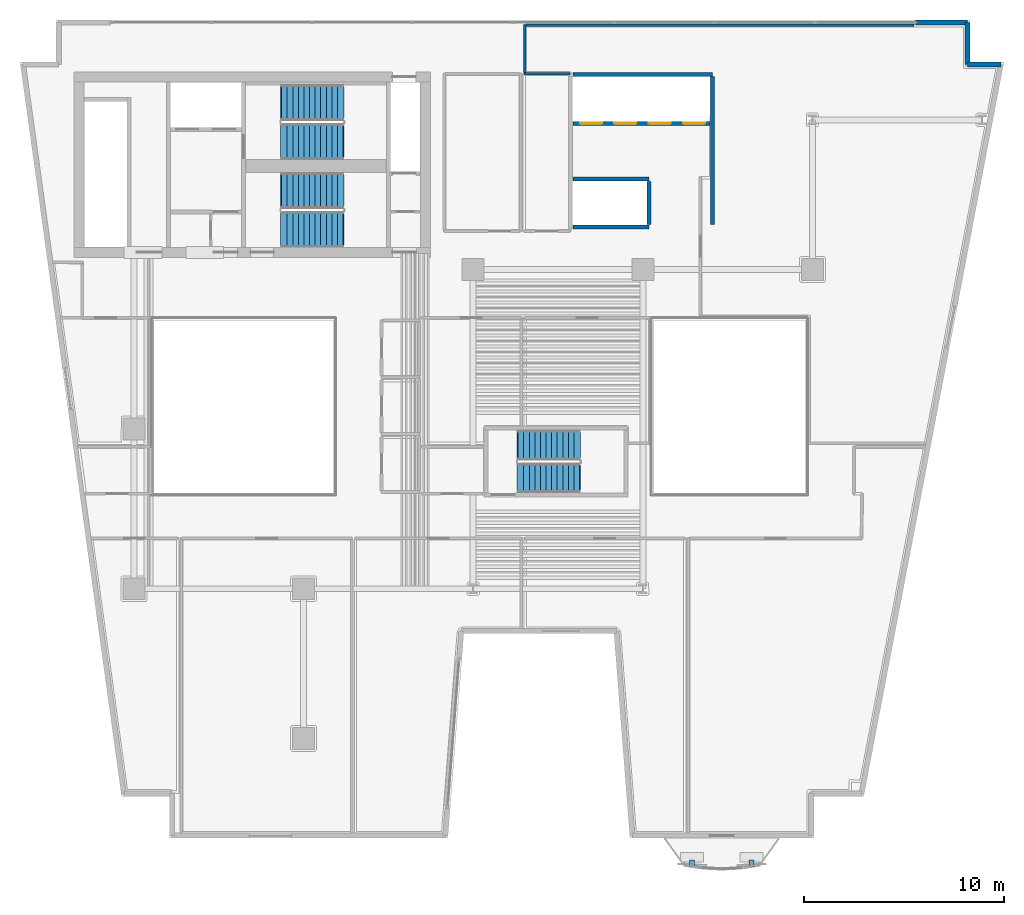
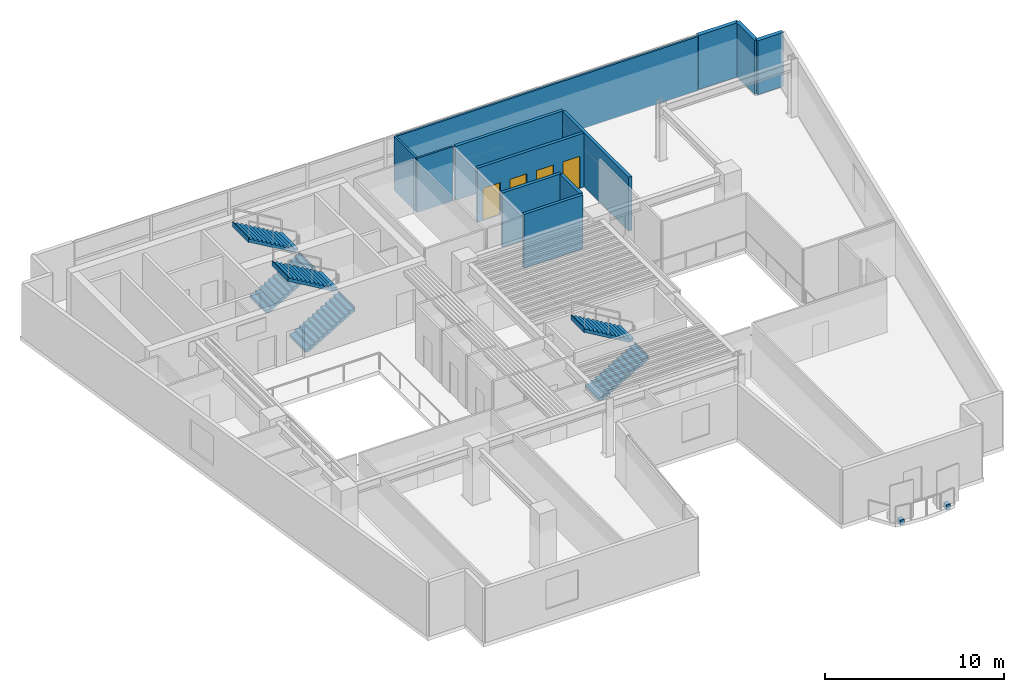
# One storey, part 8 of 12: 12 walls, 6 stair flights, 4 doors, 2 discrete accessories, 4 openings, 3 elements without a shape of their own.
"""IFC4 building model written with IfcOpenShell, lengths in metres."""

from ifc_helpers import new_model, si_unit, direction, frame, frame_2d, origin, origin_2d, place, context, subcontext, project, spatial, polyline, rectangle, outline, extrude, material, layer, layer_set, type_object, element, fill, aggregate, save


model = new_model("IFC4")

# Units and contexts
model_context = context("Model", 3, precision=1e-05, world=origin(), true_north=direction((0.0, 1.0)))
body_context = subcontext(model_context, "Body", "Model", "MODEL_VIEW")
ifc_project = project(units=[si_unit("LENGTHUNIT", "METRE"), si_unit("AREAUNIT", "SQUARE_METRE"), si_unit("VOLUMEUNIT", "CUBIC_METRE"), si_unit("PLANEANGLEUNIT", "RADIAN"), si_unit("MASSUNIT", "GRAM", prefix="KILO")], contexts=[model_context])

# Site, building, storey
site_placement = place(None, origin())
site = spatial("IfcSite", under=ifc_project, at=site_placement, CompositionType="ELEMENT")
building_placement = place(site_placement, origin())
building = spatial("IfcBuilding", under=site, at=building_placement, Name="Caeloran Harvest Quay", CompositionType="ELEMENT")
storey_placement = place(building_placement, frame((0.0, 0.0, 146.949951171875)))
storey = spatial("IfcBuildingStorey", under=building, at=storey_placement, Name="L34", CompositionType="ELEMENT", Elevation=146.949951171875)

# Walls
ifc_material_1 = material(Name="Precast concrete C50/60", Category="concrete")
ifc_layer_1 = layer(ifc_material_1, 0.260009765625, Name="Precast concrete C50/60")
ifc_layer_set_1 = layer_set([ifc_layer_1], Name="Precast concrete C50/60")
wall_type_1 = type_object("IfcWallType", Name="ENV-WALL-EW-260", PredefinedType="STANDARD", material=ifc_layer_set_1)
wall_1_placement = place(storey_placement, frame((47.669921875, 43.3701171875, 0.0), z_axis=(0.0, 0.0, 1.0), x_axis=(1.0, 0.0, 0.0)))
element("IfcWall", 1, at=wall_1_placement, inside=storey, type_object=wall_type_1, Name="L34 Exterior Facade Corner Pier Wall 6B", PredefinedType="STANDARD", context=body_context, shape_type="SweptSolid", body=[
    extrude(rectangle(XDim=2.60009765625, YDim=0.260009765625, at=frame_2d((1.300048828125, 0.0))), origin(), (0.0, 0.0, 1.0), 3.68994140625),
])
wall_2_placement = place(storey_placement, frame((50.27001953125, 43.3701171875, 0.0), z_axis=(0.0, 0.0, 1.0), x_axis=(0.0, -1.0, 0.0)))
element("IfcWall", 2, at=wall_2_placement, inside=storey, type_object=wall_type_1, Name="L34 Exterior Precast Concrete Facade Wall 7", PredefinedType="STANDARD", context=body_context, shape_type="SweptSolid", body=[
    extrude(rectangle(XDim=2.10009765625, YDim=0.260009765625, at=frame_2d((1.050048828125, 0.0))), origin(), (0.0, 0.0, 1.0), 3.68994140625),
])
wall_3_placement = place(storey_placement, frame((50.27001953125, 41.27001953125, 0.0), z_axis=(0.0, 0.0, 1.0), x_axis=(1.0, 0.0, 0.0)))
element("IfcWall", 3, at=wall_3_placement, inside=storey, type_object=wall_type_1, Name="L34 Exterior Precast Concrete Facade Wall 8", PredefinedType="STANDARD", context=body_context, shape_type="SweptSolid", body=[
    extrude(rectangle(XDim=1.671875, YDim=0.260009765625, at=frame_2d((0.8359375, 0.0))), origin(), (0.0, 0.0, 1.0), 3.68994140625),
])
ifc_material_2 = material(Name="Twin-Stud Mineral-Wool Acoustic Gypsum Partition", Category="gypsum")
ifc_layer_2 = layer(ifc_material_2, 0.125, Name="Twin-Stud Mineral-Wool Acoustic Gypsum Partition")
ifc_layer_set_2 = layer_set([ifc_layer_2], Name="Twin-Stud Mineral-Wool Acoustic Gypsum Partition")
wall_type_2 = type_object("IfcWallType", Name="INT-WALL-PW-125", PredefinedType="PARTITIONING", material=ifc_layer_set_2)
wall_4_placement = place(storey_placement, frame((28.0400390625, 40.800048828125, 0.0), z_axis=(0.0, 0.0, 1.0), x_axis=(1.0, 0.0, 0.0)))
element("IfcWall", 4, at=wall_4_placement, inside=storey, type_object=wall_type_2, Name="L34 Genomics Sequencing East Studio Partition Wall", PredefinedType="PARTITIONING", context=body_context, shape_type="SweptSolid", body=[
    extrude(rectangle(XDim=2.31005859375, YDim=0.125, at=frame_2d((1.155029296875, 0.0))), origin(), (0.0, 0.0, 1.0), 3.68994140625),
])
wall_5_placement = place(storey_placement, frame((28.080078125, 40.867431640625, 0.0), z_axis=(0.0, 0.0, 1.0), x_axis=(0.0, 1.0, 0.0)))
element("IfcWall", 5, at=wall_5_placement, inside=storey, type_object=wall_type_2, Name="Seed IP Legal Counsel Office 11 Partition Wall", PredefinedType="PARTITIONING", context=body_context, shape_type="SweptSolid", body=[
    extrude(rectangle(XDim=2.3974609375, YDim=0.125, at=frame_2d((1.19873046875, 0.0))), origin(), (0.0, 0.0, 1.0), 3.68994140625),
])
wall_6_placement = place(storey_placement, frame((28.1474609375, 43.239990234375, 0.0), z_axis=(0.0, 0.0, 1.0), x_axis=(1.0, 0.0, 0.0)))
element("IfcWall", 6, at=wall_6_placement, inside=storey, type_object=wall_type_2, Name="Seed IP Legal Counsel Office 11 Partition Wall", PredefinedType="PARTITIONING", context=body_context, shape_type="SweptSolid", body=[
    extrude(rectangle(XDim=19.447998046875, YDim=0.125, at=frame_2d((9.72412109375, 0.0))), origin(), (0.0, 0.0, 1.0), 3.68994140625),
])
ifc_material_3 = material(Name="Concrete C50/60", Category="concrete")
ifc_layer_3 = layer(ifc_material_3, 0.199951171875, Name="Concrete C50/60")
ifc_layer_set_3 = layer_set([ifc_layer_3], Name="Concrete C50/60")
wall_type_3 = type_object("IfcWallType", Name="INT-WALL-SW-200", PredefinedType="PARTITIONING", material=ifc_layer_set_3)
wall_7_placement = place(storey_placement, frame((30.5, 40.780029296875, 0.0), z_axis=(0.0, 0.0, 1.0), x_axis=(1.0, 0.0, 0.0)))
element("IfcWall", 7, at=wall_7_placement, inside=storey, type_object=wall_type_3, Name="L34 Bank 2 Lift Shaft North Wall", PredefinedType="PARTITIONING", context=body_context, shape_type="SweptSolid", body=[
    extrude(rectangle(XDim=6.97998046875, YDim=0.199951171875, at=frame_2d((3.489990234375, 0.0))), origin(), (0.0, 0.0, 1.0), 3.68994140625),
])
wall_8_placement = place(storey_placement, frame((37.47998046875, 33.239990234375, 0.0), z_axis=(0.0, 0.0, 1.0), x_axis=(0.0, 1.0, 0.0)))
element("IfcWall", 8, at=wall_8_placement, inside=storey, type_object=wall_type_3, Name="L34 Bank 2 Lift Shaft East Wall", PredefinedType="PARTITIONING", context=body_context, shape_type="SweptSolid", body=[
    extrude(rectangle(XDim=7.419921875, YDim=0.199951171875, at=frame_2d((3.7099609375, 0.0))), origin(), (0.0, 0.0, 1.0), 3.68994140625),
])

# Wall, openings, doors
wall_9_placement = place(storey_placement, frame((30.5, 38.320068359375, 0.0), z_axis=(0.0, 0.0, 1.0), x_axis=(1.0, 0.0, 0.0)))
wall_9 = element("IfcWall", 9, at=wall_9_placement, inside=storey, type_object=wall_type_3, Name="L34 Bank 2 Lift Landing Front Wall", PredefinedType="PARTITIONING", context=body_context, shape_type="SweptSolid", body=[
    extrude(rectangle(XDim=6.860107421875, YDim=0.199951171875, at=frame_2d((3.43017578125, 0.0))), origin(), (0.0, 0.0, 1.0), 3.68994140625),
])
opening_1_placement = place(wall_9_placement, frame((0.360107421875, 0.0, 0.0)))
opening_1 = element("IfcOpeningElement", 10, at=opening_1_placement, cuts=wall_9, Name="Opening LD-01", PredefinedType="OPENING", context=body_context, shape_type="SweptSolid", body=[
    extrude(rectangle(XDim=1.10009765625, YDim=2.199951171875, at=frame_2d((0.550048828125, 1.10009765625))), frame((0.0, 0.10986328125, 0.0), z_axis=(0.0, -1.0, 0.0), x_axis=(1.0, 0.0, 0.0)), (0.0, 0.0, 1.0), 0.219970703125),
])
opening_2_placement = place(wall_9_placement, frame((2.080078125, 0.0, 0.0)))
opening_2 = element("IfcOpeningElement", 11, at=opening_2_placement, cuts=wall_9, Name="Opening LD-01", PredefinedType="OPENING", context=body_context, shape_type="SweptSolid", body=[
    extrude(rectangle(XDim=1.10009765625, YDim=2.199951171875, at=frame_2d((0.550048828125, 1.10009765625))), frame((0.0, 0.10986328125, 0.0), z_axis=(0.0, -1.0, 0.0), x_axis=(1.0, 0.0, 0.0)), (0.0, 0.0, 1.0), 0.219970703125),
])
opening_3_placement = place(wall_9_placement, frame((3.800048828125, 0.0, 0.0)))
opening_3 = element("IfcOpeningElement", 12, at=opening_3_placement, cuts=wall_9, Name="Opening LD-01", PredefinedType="OPENING", context=body_context, shape_type="SweptSolid", body=[
    extrude(rectangle(XDim=1.10009765625, YDim=2.199951171875, at=frame_2d((0.550048828125, 1.10009765625))), frame((0.0, 0.10986328125, 0.0), z_axis=(0.0, -1.0, 0.0), x_axis=(1.0, 0.0, 0.0)), (0.0, 0.0, 1.0), 0.219970703125),
])
opening_4_placement = place(wall_9_placement, frame((5.52001953125, 0.0, 0.0)))
opening_4 = element("IfcOpeningElement", 13, at=opening_4_placement, cuts=wall_9, Name="Opening LD-01", PredefinedType="OPENING", context=body_context, shape_type="SweptSolid", body=[
    extrude(rectangle(XDim=1.10009765625, YDim=2.199951171875, at=frame_2d((0.550048828125, 1.10009765625))), frame((0.0, 0.10986328125, 0.0), z_axis=(0.0, -1.0, 0.0), x_axis=(1.0, 0.0, 0.0)), (0.0, 0.0, 1.0), 0.219970703125),
])
ifc_material_4 = material(Name="Stainless Steel Grade 316", Category="steel")
door_type = type_object("IfcDoorType", Name="INTDOOR-LD-01", OperationType="NOTDEFINED", PredefinedType="DOOR", material=ifc_material_4)
door_1_placement = place(opening_1_placement, origin())
door_1 = element("IfcDoor", 14, at=door_1_placement, inside=storey, type_object=door_type, Name="Lift P2-1 Sliding Landing Door (L34)", OperationType="DOUBLE_DOOR_SLIDING", OverallHeight=2.199951171875, OverallWidth=1.10009765625, PredefinedType="DOOR", context=body_context, shape_type="SweptSolid", body=[
    extrude(rectangle(XDim=1.10009765625, YDim=2.199951171875, at=frame_2d((0.550048828125, 1.10009765625))), frame((0.0, 0.02490234375, 0.0), z_axis=(0.0, -1.0, 0.0), x_axis=(1.0, 0.0, 0.0)), (0.0, 0.0, 1.0), 0.050048828125),
])
fill(opening_1, door_1)
door_2_placement = place(opening_2_placement, origin())
door_2 = element("IfcDoor", 15, at=door_2_placement, inside=storey, type_object=door_type, Name="Lift P2-2 Sliding Landing Door (L34)", OperationType="DOUBLE_DOOR_SLIDING", OverallHeight=2.199951171875, OverallWidth=1.10009765625, PredefinedType="DOOR", context=body_context, shape_type="SweptSolid", body=[
    extrude(rectangle(XDim=1.10009765625, YDim=2.199951171875, at=frame_2d((0.550048828125, 1.10009765625))), frame((0.0, 0.02490234375, 0.0), z_axis=(0.0, -1.0, 0.0), x_axis=(1.0, 0.0, 0.0)), (0.0, 0.0, 1.0), 0.050048828125),
])
fill(opening_2, door_2)
door_3_placement = place(opening_3_placement, origin())
door_3 = element("IfcDoor", 16, at=door_3_placement, inside=storey, type_object=door_type, Name="Lift P2-3 Sliding Landing Door (L34)", OperationType="DOUBLE_DOOR_SLIDING", OverallHeight=2.199951171875, OverallWidth=1.10009765625, PredefinedType="DOOR", context=body_context, shape_type="SweptSolid", body=[
    extrude(rectangle(XDim=1.10009765625, YDim=2.199951171875, at=frame_2d((0.550048828125, 1.10009765625))), frame((0.0, 0.02490234375, 0.0), z_axis=(0.0, -1.0, 0.0), x_axis=(1.0, 0.0, 0.0)), (0.0, 0.0, 1.0), 0.050048828125),
])
fill(opening_3, door_3)
door_4_placement = place(opening_4_placement, origin())
door_4 = element("IfcDoor", 17, at=door_4_placement, inside=storey, type_object=door_type, Name="Lift P2-4 Sliding Landing Door (L34)", OperationType="DOUBLE_DOOR_SLIDING", OverallHeight=2.199951171875, OverallWidth=1.10009765625, PredefinedType="DOOR", context=body_context, shape_type="SweptSolid", body=[
    extrude(rectangle(XDim=1.10009765625, YDim=2.199951171875, at=frame_2d((0.550048828125, 1.10009765625))), frame((0.0, 0.02490234375, 0.0), z_axis=(0.0, -1.0, 0.0), x_axis=(1.0, 0.0, 0.0)), (0.0, 0.0, 1.0), 0.050048828125),
])
fill(opening_4, door_4)

# Walls
for number, where, z_axis, x_axis, name in (
    (18, (30.5, 35.530029296875, 0.0), (0.0, 0.0, 1.0), (1.0, 0.0, 0.0), "L34 Shuttle Lift Landing Front Wall"),
    (19, (30.5, 33.1201171875, 0.0), (0.0, 0.0, 1.0), (1.0, 0.0, 0.0), "L34 Shuttle Lift Shaft South Wall"),
):
    element("IfcWall", number, at=place(storey_placement, frame(where, z_axis=z_axis, x_axis=x_axis)), inside=storey, type_object=wall_type_3, Name=name, PredefinedType="PARTITIONING", context=body_context, shape_type="SweptSolid", body=[
        extrude(rectangle(XDim=3.800048828125, YDim=0.199951171875, at=frame_2d((1.89990234375, 0.0))), origin(), (0.0, 0.0, 1.0), 3.68994140625),
    ])
wall_10_placement = place(storey_placement, frame((34.300048828125, 33.239990234375, 0.0), z_axis=(0.0, 0.0, 1.0), x_axis=(0.0, 1.0, 0.0)))
element("IfcWall", 20, at=wall_10_placement, inside=storey, type_object=wall_type_3, Name="L34 Shuttle Lift Shaft East Wall", PredefinedType="PARTITIONING", context=body_context, shape_type="SweptSolid", body=[
    extrude(rectangle(XDim=2.169921875, YDim=0.199951171875, at=frame_2d((1.0849609375, 0.0))), origin(), (0.0, 0.0, 1.0), 3.68994140625),
])

# Stair, stair flights
stair_type_1 = type_object("IfcStairType", Name="STAIR-STC-180", PredefinedType="HALF_TURN_STAIR", material=ifc_material_3)
stair_1_placement = place(storey_placement, origin())
stair_1 = element("IfcStair", 21, at=stair_1_placement, inside=storey, type_object=stair_type_1, Name="L34 Core Pressurized Exit Stair ST-C1", PredefinedType="HALF_TURN_STAIR")
stair_flight_type_1 = type_object("IfcStairFlightType", Name="FLIGHT-STC-180", PredefinedType="STRAIGHT", material=ifc_material_3)
stair_flight_1_placement = place(storey_placement, frame((15.89990234375, 37.39990234375, 0.0), z_axis=(0.0, 0.0, 1.0), x_axis=(1.0, 0.0, 0.0)))
stair_flight_1 = element("IfcStairFlight", 22, at=stair_flight_1_placement, type_object=stair_flight_type_1, Name="ST-C1 flight 1", NumberOfRisers=12, NumberOfTreads=11, PredefinedType="STRAIGHT", RiserHeight=0.164583333, TreadLength=0.28, context=body_context, shape_type="SweptSolid", body=[
    extrude(outline(polyline([(-0.054931640625, -0.044921875), (-0.054931640625, -0.031982421875), (-0.054931640625, -0.018798828125), (-0.054931640625, -0.005615234375), (-0.054931640625, 0.00732421875), (-0.054931640625, 0.0205078125), (-0.054931640625, 0.03369140625), (-0.054931640625, 0.046630859375), (-0.054931640625, 0.059814453125), (-0.054931640625, 0.072998046875), (-0.054931640625, 0.0859375), (-0.054931640625, 0.09912109375), (-0.054931640625, 0.1123046875), (-0.054931640625, 0.125244140625), (-0.054931640625, 0.138427734375), (-0.054931640625, 0.1513671875), (-0.054931640625, 0.16455078125), (0.280029296875, 0.16455078125), (0.280029296875, 0.3291015625), (0.56005859375, 0.3291015625), (0.56005859375, 0.49365234375), (0.840087890625, 0.49365234375), (0.840087890625, 0.658447265625), (1.1201171875, 0.658447265625), (1.1201171875, 0.822998046875), (1.39990234375, 0.822998046875), (1.39990234375, 0.987548828125), (1.679931640625, 0.987548828125), (1.679931640625, 1.152099609375), (1.9599609375, 1.152099609375), (1.9599609375, 1.316650390625), (2.239990234375, 1.316650390625), (2.239990234375, 1.481201171875), (2.52001953125, 1.481201171875), (2.52001953125, 1.645751953125), (2.800048828125, 1.645751953125), (2.800048828125, 1.810302734375), (3.080078125, 1.810302734375), (3.080078125, 1.97509765625), (3.135009765625, 1.97509765625), (3.135009765625, 1.953857421875), (3.135009765625, 1.9326171875), (3.135009765625, 1.91162109375), (3.135009765625, 1.890380859375), (3.135009765625, 1.869140625), (3.135009765625, 1.84814453125), (3.135009765625, 1.826904296875), (3.135009765625, 1.8056640625), (3.135009765625, 1.78466796875), (3.135009765625, 1.763427734375), (3.135009765625, 1.7421875), (3.135009765625, 1.72119140625), (3.135009765625, 1.699951171875), (3.135009765625, 1.678955078125), (3.135009765625, 1.65771484375), (3.135009765625, 1.636474609375), (3.080078125, 1.636474609375), (0.21923828125, -0.044921875), (-0.054931640625, -0.044921875)])), frame((0.0, 0.89990234375, 0.0), z_axis=(0.0, -1.0, 0.0), x_axis=(1.0, 0.0, 0.0)), (0.0, 0.0, 1.0), 1.800048828125),
])
stair_flight_2_placement = place(storey_placement, frame((18.97998046875, 39.35009765625, 1.97509765625), z_axis=(0.0, 0.0, 1.0), x_axis=(-1.0, 0.0, 0.0)))
stair_flight_2 = element("IfcStairFlight", 23, at=stair_flight_2_placement, type_object=stair_flight_type_1, Name="ST-C1 flight 2", NumberOfRisers=12, NumberOfTreads=11, PredefinedType="STRAIGHT", RiserHeight=0.164583333, TreadLength=0.28, context=body_context, shape_type="SweptSolid", body=[
    extrude(outline(polyline([(-0.054931640625, -0.044921875), (-0.054931640625, -0.031982421875), (-0.054931640625, -0.018798828125), (-0.054931640625, -0.005615234375), (-0.054931640625, 0.00732421875), (-0.054931640625, 0.0205078125), (-0.054931640625, 0.03369140625), (-0.054931640625, 0.046630859375), (-0.054931640625, 0.059814453125), (-0.054931640625, 0.072998046875), (-0.054931640625, 0.0859375), (-0.054931640625, 0.09912109375), (-0.054931640625, 0.1123046875), (-0.054931640625, 0.125244140625), (-0.054931640625, 0.138427734375), (-0.054931640625, 0.1513671875), (-0.054931640625, 0.16455078125), (0.280029296875, 0.16455078125), (0.280029296875, 0.3291015625), (0.56005859375, 0.3291015625), (0.56005859375, 0.49365234375), (0.840087890625, 0.49365234375), (0.840087890625, 0.658447265625), (1.1201171875, 0.658447265625), (1.1201171875, 0.822998046875), (1.39990234375, 0.822998046875), (1.39990234375, 0.987548828125), (1.679931640625, 0.987548828125), (1.679931640625, 1.152099609375), (1.9599609375, 1.152099609375), (1.9599609375, 1.316650390625), (2.239990234375, 1.316650390625), (2.239990234375, 1.481201171875), (2.52001953125, 1.481201171875), (2.52001953125, 1.645751953125), (2.800048828125, 1.645751953125), (2.800048828125, 1.810302734375), (3.080078125, 1.810302734375), (3.080078125, 1.97509765625), (3.135009765625, 1.97509765625), (3.135009765625, 1.953857421875), (3.135009765625, 1.9326171875), (3.135009765625, 1.91162109375), (3.135009765625, 1.890380859375), (3.135009765625, 1.869140625), (3.135009765625, 1.84814453125), (3.135009765625, 1.826904296875), (3.135009765625, 1.8056640625), (3.135009765625, 1.78466796875), (3.135009765625, 1.763427734375), (3.135009765625, 1.7421875), (3.135009765625, 1.72119140625), (3.135009765625, 1.699951171875), (3.135009765625, 1.678955078125), (3.135009765625, 1.65771484375), (3.135009765625, 1.636474609375), (3.080078125, 1.636474609375), (0.21923828125, -0.044921875), (-0.054931640625, -0.044921875)])), frame((0.0, 0.89990234375, 0.0), z_axis=(0.0, -1.0, 0.0), x_axis=(1.0, 0.0, 0.0)), (0.0, 0.0, 1.0), 1.800048828125),
])
aggregate(stair_1, [stair_flight_1, stair_flight_2])

stair_2_placement = place(storey_placement, origin())
stair_2 = element("IfcStair", 24, at=stair_2_placement, inside=storey, type_object=stair_type_1, Name="L34 Core Pressurized Exit Stair ST-C2", PredefinedType="HALF_TURN_STAIR")
stair_flight_3_placement = place(storey_placement, frame((15.89990234375, 33.0, 0.0), z_axis=(0.0, 0.0, 1.0), x_axis=(1.0, 0.0, 0.0)))
stair_flight_3 = element("IfcStairFlight", 25, at=stair_flight_3_placement, type_object=stair_flight_type_1, Name="ST-C2 flight 1", NumberOfRisers=12, NumberOfTreads=11, PredefinedType="STRAIGHT", RiserHeight=0.164583333, TreadLength=0.28, context=body_context, shape_type="SweptSolid", body=[
    extrude(outline(polyline([(-0.054931640625, -0.044921875), (-0.054931640625, -0.031982421875), (-0.054931640625, -0.018798828125), (-0.054931640625, -0.005615234375), (-0.054931640625, 0.00732421875), (-0.054931640625, 0.0205078125), (-0.054931640625, 0.03369140625), (-0.054931640625, 0.046630859375), (-0.054931640625, 0.059814453125), (-0.054931640625, 0.072998046875), (-0.054931640625, 0.0859375), (-0.054931640625, 0.09912109375), (-0.054931640625, 0.1123046875), (-0.054931640625, 0.125244140625), (-0.054931640625, 0.138427734375), (-0.054931640625, 0.1513671875), (-0.054931640625, 0.16455078125), (0.280029296875, 0.16455078125), (0.280029296875, 0.3291015625), (0.56005859375, 0.3291015625), (0.56005859375, 0.49365234375), (0.840087890625, 0.49365234375), (0.840087890625, 0.658447265625), (1.1201171875, 0.658447265625), (1.1201171875, 0.822998046875), (1.39990234375, 0.822998046875), (1.39990234375, 0.987548828125), (1.679931640625, 0.987548828125), (1.679931640625, 1.152099609375), (1.9599609375, 1.152099609375), (1.9599609375, 1.316650390625), (2.239990234375, 1.316650390625), (2.239990234375, 1.481201171875), (2.52001953125, 1.481201171875), (2.52001953125, 1.645751953125), (2.800048828125, 1.645751953125), (2.800048828125, 1.810302734375), (3.080078125, 1.810302734375), (3.080078125, 1.97509765625), (3.135009765625, 1.97509765625), (3.135009765625, 1.953857421875), (3.135009765625, 1.9326171875), (3.135009765625, 1.91162109375), (3.135009765625, 1.890380859375), (3.135009765625, 1.869140625), (3.135009765625, 1.84814453125), (3.135009765625, 1.826904296875), (3.135009765625, 1.8056640625), (3.135009765625, 1.78466796875), (3.135009765625, 1.763427734375), (3.135009765625, 1.7421875), (3.135009765625, 1.72119140625), (3.135009765625, 1.699951171875), (3.135009765625, 1.678955078125), (3.135009765625, 1.65771484375), (3.135009765625, 1.636474609375), (3.080078125, 1.636474609375), (0.21923828125, -0.044921875), (-0.054931640625, -0.044921875)])), frame((0.0, 0.89990234375, 0.0), z_axis=(0.0, -1.0, 0.0), x_axis=(1.0, 0.0, 0.0)), (0.0, 0.0, 1.0), 1.800048828125),
])
stair_flight_4_placement = place(storey_placement, frame((18.97998046875, 34.949951171875, 1.97509765625), z_axis=(0.0, 0.0, 1.0), x_axis=(-1.0, 0.0, 0.0)))
stair_flight_4 = element("IfcStairFlight", 26, at=stair_flight_4_placement, type_object=stair_flight_type_1, Name="ST-C2 flight 2", NumberOfRisers=12, NumberOfTreads=11, PredefinedType="STRAIGHT", RiserHeight=0.164583333, TreadLength=0.28, context=body_context, shape_type="SweptSolid", body=[
    extrude(outline(polyline([(-0.054931640625, -0.044921875), (-0.054931640625, -0.031982421875), (-0.054931640625, -0.018798828125), (-0.054931640625, -0.005615234375), (-0.054931640625, 0.00732421875), (-0.054931640625, 0.0205078125), (-0.054931640625, 0.03369140625), (-0.054931640625, 0.046630859375), (-0.054931640625, 0.059814453125), (-0.054931640625, 0.072998046875), (-0.054931640625, 0.0859375), (-0.054931640625, 0.09912109375), (-0.054931640625, 0.1123046875), (-0.054931640625, 0.125244140625), (-0.054931640625, 0.138427734375), (-0.054931640625, 0.1513671875), (-0.054931640625, 0.16455078125), (0.280029296875, 0.16455078125), (0.280029296875, 0.3291015625), (0.56005859375, 0.3291015625), (0.56005859375, 0.49365234375), (0.840087890625, 0.49365234375), (0.840087890625, 0.658447265625), (1.1201171875, 0.658447265625), (1.1201171875, 0.822998046875), (1.39990234375, 0.822998046875), (1.39990234375, 0.987548828125), (1.679931640625, 0.987548828125), (1.679931640625, 1.152099609375), (1.9599609375, 1.152099609375), (1.9599609375, 1.316650390625), (2.239990234375, 1.316650390625), (2.239990234375, 1.481201171875), (2.52001953125, 1.481201171875), (2.52001953125, 1.645751953125), (2.800048828125, 1.645751953125), (2.800048828125, 1.810302734375), (3.080078125, 1.810302734375), (3.080078125, 1.97509765625), (3.135009765625, 1.97509765625), (3.135009765625, 1.953857421875), (3.135009765625, 1.9326171875), (3.135009765625, 1.91162109375), (3.135009765625, 1.890380859375), (3.135009765625, 1.869140625), (3.135009765625, 1.84814453125), (3.135009765625, 1.826904296875), (3.135009765625, 1.8056640625), (3.135009765625, 1.78466796875), (3.135009765625, 1.763427734375), (3.135009765625, 1.7421875), (3.135009765625, 1.72119140625), (3.135009765625, 1.699951171875), (3.135009765625, 1.678955078125), (3.135009765625, 1.65771484375), (3.135009765625, 1.636474609375), (3.080078125, 1.636474609375), (0.21923828125, -0.044921875), (-0.054931640625, -0.044921875)])), frame((0.0, 0.89990234375, 0.0), z_axis=(0.0, -1.0, 0.0), x_axis=(1.0, 0.0, 0.0)), (0.0, 0.0, 1.0), 1.800048828125),
])
aggregate(stair_2, [stair_flight_3, stair_flight_4])

stair_type_2 = type_object("IfcStairType", Name="STAIR-STW-150", PredefinedType="HALF_TURN_STAIR", material=ifc_material_3)
stair_3_placement = place(storey_placement, origin())
stair_3 = element("IfcStair", 27, at=stair_3_placement, inside=storey, type_object=stair_type_2, Name="L34 East Wing Protected Exit Stair ST-W1", PredefinedType="HALF_TURN_STAIR")
stair_flight_type_2 = type_object("IfcStairFlightType", Name="FLIGHT-STW-150", PredefinedType="STRAIGHT", material=ifc_material_3)
stair_flight_5_placement = place(storey_placement, frame((27.75, 20.550048828125, 0.0), z_axis=(0.0, 0.0, 1.0), x_axis=(1.0, 0.0, 0.0)))
stair_flight_5 = element("IfcStairFlight", 28, at=stair_flight_5_placement, type_object=stair_flight_type_2, Name="ST-W1 flight 1", NumberOfRisers=12, NumberOfTreads=11, PredefinedType="STRAIGHT", RiserHeight=0.164583333, TreadLength=0.28, context=body_context, shape_type="SweptSolid", body=[
    extrude(outline(polyline([(-0.054931640625, -0.044921875), (-0.054931640625, -0.031982421875), (-0.054931640625, -0.018798828125), (-0.054931640625, -0.005615234375), (-0.054931640625, 0.00732421875), (-0.054931640625, 0.0205078125), (-0.054931640625, 0.03369140625), (-0.054931640625, 0.046630859375), (-0.054931640625, 0.059814453125), (-0.054931640625, 0.072998046875), (-0.054931640625, 0.0859375), (-0.054931640625, 0.09912109375), (-0.054931640625, 0.1123046875), (-0.054931640625, 0.125244140625), (-0.054931640625, 0.138427734375), (-0.054931640625, 0.1513671875), (-0.054931640625, 0.16455078125), (0.280029296875, 0.16455078125), (0.280029296875, 0.3291015625), (0.56005859375, 0.3291015625), (0.56005859375, 0.49365234375), (0.840087890625, 0.49365234375), (0.840087890625, 0.658447265625), (1.1201171875, 0.658447265625), (1.1201171875, 0.822998046875), (1.39990234375, 0.822998046875), (1.39990234375, 0.987548828125), (1.679931640625, 0.987548828125), (1.679931640625, 1.152099609375), (1.9599609375, 1.152099609375), (1.9599609375, 1.316650390625), (2.239990234375, 1.316650390625), (2.239990234375, 1.481201171875), (2.52001953125, 1.481201171875), (2.52001953125, 1.645751953125), (2.800048828125, 1.645751953125), (2.800048828125, 1.810302734375), (3.080078125, 1.810302734375), (3.080078125, 1.97509765625), (3.135009765625, 1.97509765625), (3.135009765625, 1.953857421875), (3.135009765625, 1.9326171875), (3.135009765625, 1.91162109375), (3.135009765625, 1.890380859375), (3.135009765625, 1.869140625), (3.135009765625, 1.84814453125), (3.135009765625, 1.826904296875), (3.135009765625, 1.8056640625), (3.135009765625, 1.78466796875), (3.135009765625, 1.763427734375), (3.135009765625, 1.7421875), (3.135009765625, 1.72119140625), (3.135009765625, 1.699951171875), (3.135009765625, 1.678955078125), (3.135009765625, 1.65771484375), (3.135009765625, 1.636474609375), (3.080078125, 1.636474609375), (0.21923828125, -0.044921875), (-0.054931640625, -0.044921875)])), frame((0.0, 0.75, 0.0), z_axis=(0.0, -1.0, 0.0), x_axis=(1.0, 0.0, 0.0)), (0.0, 0.0, 1.0), 1.5),
])
stair_flight_6_placement = place(storey_placement, frame((30.830078125, 22.199951171875, 1.97509765625), z_axis=(0.0, 0.0, 1.0), x_axis=(-1.0, 0.0, 0.0)))
stair_flight_6 = element("IfcStairFlight", 29, at=stair_flight_6_placement, type_object=stair_flight_type_2, Name="ST-W1 flight 2", NumberOfRisers=12, NumberOfTreads=11, PredefinedType="STRAIGHT", RiserHeight=0.164583333, TreadLength=0.28, context=body_context, shape_type="SweptSolid", body=[
    extrude(outline(polyline([(-0.054931640625, -0.044921875), (-0.054931640625, -0.031982421875), (-0.054931640625, -0.018798828125), (-0.054931640625, -0.005615234375), (-0.054931640625, 0.00732421875), (-0.054931640625, 0.0205078125), (-0.054931640625, 0.03369140625), (-0.054931640625, 0.046630859375), (-0.054931640625, 0.059814453125), (-0.054931640625, 0.072998046875), (-0.054931640625, 0.0859375), (-0.054931640625, 0.09912109375), (-0.054931640625, 0.1123046875), (-0.054931640625, 0.125244140625), (-0.054931640625, 0.138427734375), (-0.054931640625, 0.1513671875), (-0.054931640625, 0.16455078125), (0.280029296875, 0.16455078125), (0.280029296875, 0.3291015625), (0.56005859375, 0.3291015625), (0.56005859375, 0.49365234375), (0.840087890625, 0.49365234375), (0.840087890625, 0.658447265625), (1.1201171875, 0.658447265625), (1.1201171875, 0.822998046875), (1.39990234375, 0.822998046875), (1.39990234375, 0.987548828125), (1.679931640625, 0.987548828125), (1.679931640625, 1.152099609375), (1.9599609375, 1.152099609375), (1.9599609375, 1.316650390625), (2.239990234375, 1.316650390625), (2.239990234375, 1.481201171875), (2.52001953125, 1.481201171875), (2.52001953125, 1.645751953125), (2.800048828125, 1.645751953125), (2.800048828125, 1.810302734375), (3.080078125, 1.810302734375), (3.080078125, 1.97509765625), (3.135009765625, 1.97509765625), (3.135009765625, 1.953857421875), (3.135009765625, 1.9326171875), (3.135009765625, 1.91162109375), (3.135009765625, 1.890380859375), (3.135009765625, 1.869140625), (3.135009765625, 1.84814453125), (3.135009765625, 1.826904296875), (3.135009765625, 1.8056640625), (3.135009765625, 1.78466796875), (3.135009765625, 1.763427734375), (3.135009765625, 1.7421875), (3.135009765625, 1.72119140625), (3.135009765625, 1.699951171875), (3.135009765625, 1.678955078125), (3.135009765625, 1.65771484375), (3.135009765625, 1.636474609375), (3.080078125, 1.636474609375), (0.21923828125, -0.044921875), (-0.054931640625, -0.044921875)])), frame((0.0, 0.75, 0.0), z_axis=(0.0, -1.0, 0.0), x_axis=(1.0, 0.0, 0.0)), (0.0, 0.0, 1.0), 1.5),
])
aggregate(stair_3, [stair_flight_5, stair_flight_6])

# Discrete accessories
ifc_material_5 = material(Name="Stainless Steel Grade 316L", Category="steel")
discrete_accessory_type = type_object("IfcDiscreteAccessoryType", Name="BRACKET-SCREEN-SS", PredefinedType="BRACKET", material=ifc_material_5)
for number, where, z_axis, x_axis, name in (
    (30, (39.44921875, 1.22998046875, -0.22021484375), (0.0, 0.0, 1.0), (1.0, 0.0, 0.0), "L34 Balcony Screen Support Bracket 1"),
    (31, (36.4658203125, 1.22998046875, -0.22021484375), (0.0, 0.0, 1.0), (1.0, 0.0, 0.0), "L34 Balcony Screen Support Bracket 2"),
):
    element("IfcDiscreteAccessory", number, at=place(storey_placement, frame(where, z_axis=z_axis, x_axis=x_axis)), inside=storey, type_object=discrete_accessory_type, Name=name, PredefinedType="BRACKET", context=body_context, shape_type="SweptSolid", body=[
        extrude(rectangle(XDim=0.260009765625, YDim=0.340087890625, at=origin_2d()), origin(), (0.0, 0.0, 1.0), 0.360107421875),
    ])

save(model, "model.ifc")
